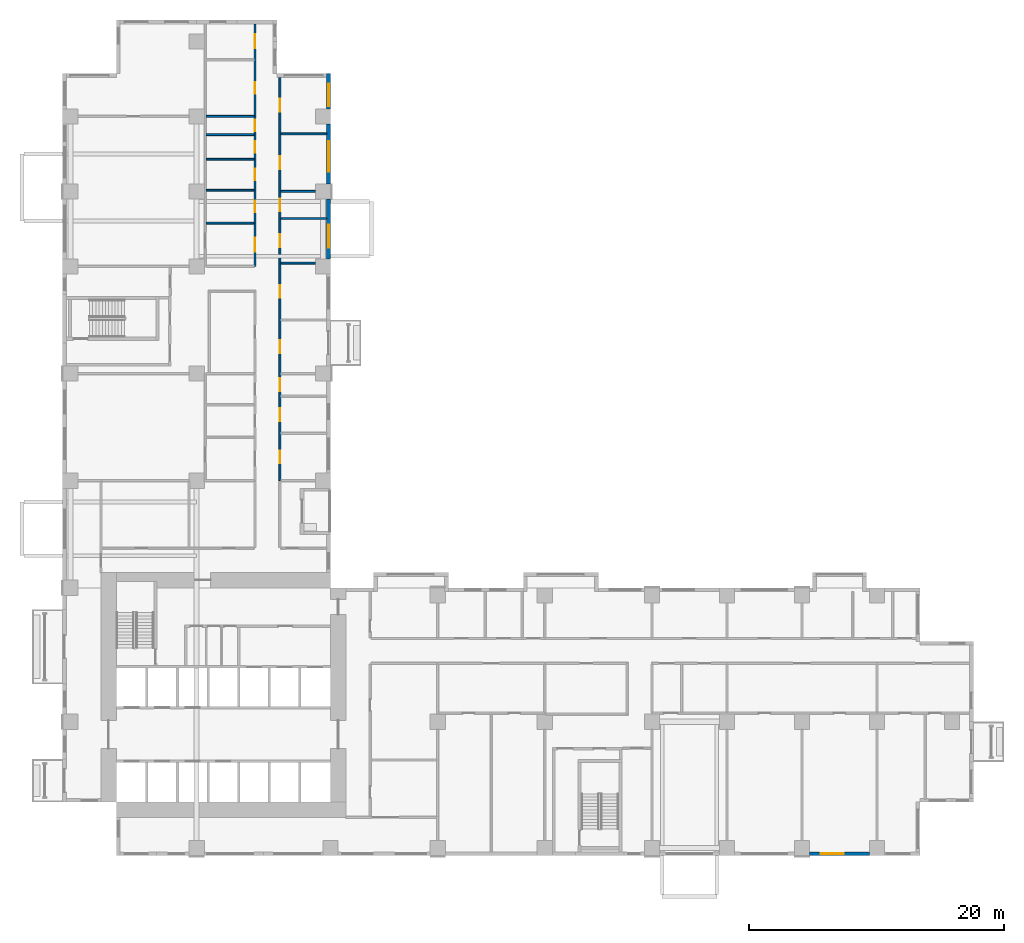
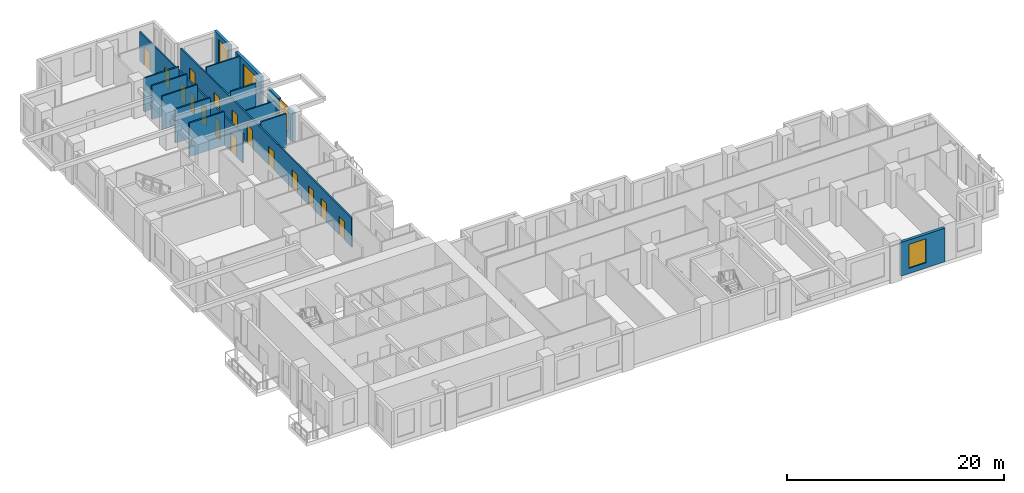
# One storey, part 7 of 14: 16 doors, 15 walls, 4 windows, 20 openings.
"""IFC4 building model written with IfcOpenShell, lengths in metres."""

from ifc_helpers import new_model, si_unit, direction, frame, frame_2d, origin, place, context, subcontext, project, spatial, rectangle, extrude, source, transform, mapped, material, layer, layer_set, type_object, element, fill, save


model = new_model("IFC4")

# Units and contexts
model_context = context("Model", 3, precision=1e-05, world=origin(), true_north=direction((0.0, 1.0)))
body_context = subcontext(model_context, "Body", "Model", "MODEL_VIEW")
ifc_project = project(units=[si_unit("LENGTHUNIT", "METRE"), si_unit("AREAUNIT", "SQUARE_METRE"), si_unit("VOLUMEUNIT", "CUBIC_METRE"), si_unit("PLANEANGLEUNIT", "RADIAN"), si_unit("MASSUNIT", "GRAM", prefix="KILO")], contexts=[model_context])

# Site, building, storey
site_placement = place(None, origin())
site = spatial("IfcSite", under=ifc_project, at=site_placement, CompositionType="ELEMENT")
building_placement = place(site_placement, origin())
building = spatial("IfcBuilding", under=site, at=building_placement, Name="Aurelian Terraces", CompositionType="ELEMENT")
storey_placement = place(building_placement, frame((0.0, 0.0, 40.5)))
storey = spatial("IfcBuildingStorey", under=building, at=storey_placement, Name="L07", CompositionType="ELEMENT", Elevation=40.5)

# Wall, openings, doors
ifc_material_1 = material(Name="Gypsum board on steel studs", Category="steel")
ifc_layer_1 = layer(ifc_material_1, 0.15)
ifc_layer_set_1 = layer_set([ifc_layer_1], Name="Fire partition 150")
wall_type_1 = type_object("IfcWallType", Name="Fire partition 150", PredefinedType="PARTITIONING", material=ifc_layer_set_1)
wall_1_placement = place(storey_placement, frame((17.025, 61.02, 0.0), z_axis=(0.0, 0.0, 1.0), x_axis=(0.0, -1.0, 0.0)))
wall_1 = element("IfcWall", 1, at=wall_1_placement, inside=storey, type_object=wall_type_1, Name="Corridor wall", PredefinedType="PARTITIONING", context=body_context, shape_type="SweptSolid", body=[
    extrude(rectangle(XDim=31.62, YDim=0.15, at=frame_2d((15.81, 0.0))), origin(), (0.0, 0.0, 1.0), 3.3),
])
shared_shape_1 = source(origin(), body_context, "Body", "SweptSolid", [
    extrude(rectangle(XDim=1.0, YDim=2.1, at=frame_2d((0.5, 1.05))), frame((0.0, 0.085, 0.0), z_axis=(0.0, -1.0, 0.0), x_axis=(1.0, 0.0, 0.0)), (0.0, 0.0, 1.0), 0.17),
])
opening_1_placement = place(wall_1_placement, frame((29.2633, 0.0, 0.0)))
opening_1 = element("IfcOpeningElement", 2, at=opening_1_placement, cuts=wall_1, Name="Opening 707046", PredefinedType="OPENING", context=body_context, shape_type="MappedRepresentation", body=[
    mapped(shared_shape_1, transform((0.0, 0.0, 0.0), scale=1.0)),
])
opening_2_placement = place(wall_1_placement, frame((25.9514, 0.0, 0.0)))
opening_2 = element("IfcOpeningElement", 3, at=opening_2_placement, cuts=wall_1, Name="Opening 707047", PredefinedType="OPENING", context=body_context, shape_type="MappedRepresentation", body=[
    mapped(shared_shape_1, transform((0.0, 0.0, 0.0), scale=1.0)),
])
opening_3_placement = place(wall_1_placement, frame((23.608, 0.0, 0.0)))
opening_3 = element("IfcOpeningElement", 4, at=opening_3_placement, cuts=wall_1, Name="Opening 707048", PredefinedType="OPENING", context=body_context, shape_type="MappedRepresentation", body=[
    mapped(shared_shape_1, transform((0.0, 0.0, 0.0), scale=1.0)),
])
opening_4_placement = place(wall_1_placement, frame((20.62, 0.0, 0.0)))
opening_4 = element("IfcOpeningElement", 5, at=opening_4_placement, cuts=wall_1, Name="Opening 707049", PredefinedType="OPENING", context=body_context, shape_type="MappedRepresentation", body=[
    mapped(shared_shape_1, transform((0.0, 0.0, 0.0), scale=1.0)),
])
opening_5_placement = place(wall_1_placement, frame((16.2929, 0.0, 0.0)))
opening_5 = element("IfcOpeningElement", 6, at=opening_5_placement, cuts=wall_1, Name="Opening 707050", PredefinedType="OPENING", context=body_context, shape_type="MappedRepresentation", body=[
    mapped(shared_shape_1, transform((0.0, 0.0, 0.0), scale=1.0)),
])
opening_6_placement = place(wall_1_placement, frame((12.3141, 0.0, 0.0)))
opening_6 = element("IfcOpeningElement", 7, at=opening_6_placement, cuts=wall_1, Name="Opening 707051", PredefinedType="OPENING", context=body_context, shape_type="MappedRepresentation", body=[
    mapped(shared_shape_1, transform((0.0, 0.0, 0.0), scale=1.0)),
])
opening_7_placement = place(wall_1_placement, frame((9.5012, 0.0, 0.0)))
opening_7 = element("IfcOpeningElement", 8, at=opening_7_placement, cuts=wall_1, Name="Opening 707052", PredefinedType="OPENING", context=body_context, shape_type="MappedRepresentation", body=[
    mapped(shared_shape_1, transform((0.0, 0.0, 0.0), scale=1.0)),
])
opening_8_placement = place(wall_1_placement, frame((6.1862, 0.0, 0.0)))
opening_8 = element("IfcOpeningElement", 9, at=opening_8_placement, cuts=wall_1, Name="Opening 707053", PredefinedType="OPENING", context=body_context, shape_type="MappedRepresentation", body=[
    mapped(shared_shape_1, transform((0.0, 0.0, 0.0), scale=1.0)),
])
opening_9_placement = place(wall_1_placement, frame((1.6788, 0.0, 0.0)))
opening_9 = element("IfcOpeningElement", 10, at=opening_9_placement, cuts=wall_1, Name="Opening 707054", PredefinedType="OPENING", context=body_context, shape_type="MappedRepresentation", body=[
    mapped(shared_shape_1, transform((0.0, 0.0, 0.0), scale=1.0)),
])
ifc_material_2 = material(Name="Timber door leaf", Category="wood")
door_type_1 = type_object("IfcDoorType", Name="Room door 1000x2100 left", OperationType="SINGLE_SWING_LEFT", PredefinedType="DOOR", material=ifc_material_2)
shared_shape_2 = source(origin(), body_context, "Body", "SweptSolid", [
    extrude(rectangle(XDim=1.0, YDim=2.1, at=frame_2d((0.5, 1.05))), frame((0.0, 0.025, 0.0), z_axis=(0.0, -1.0, 0.0), x_axis=(1.0, 0.0, 0.0)), (0.0, 0.0, 1.0), 0.05),
])
door_1_placement = place(opening_1_placement, origin())
door_1 = element("IfcDoor", 11, at=door_1_placement, inside=storey, type_object=door_type_1, Name="Door 707046", OperationType="SINGLE_SWING_LEFT", OverallHeight=2.1, OverallWidth=1.0, PredefinedType="DOOR", context=body_context, shape_type="MappedRepresentation", body=[
    mapped(shared_shape_2, transform((0.0, 0.0, 0.0), scale=1.0)),
])
fill(opening_1, door_1)
door_type_2 = type_object("IfcDoorType", Name="Room door 1000x2100 right", OperationType="SINGLE_SWING_RIGHT", PredefinedType="DOOR", material=ifc_material_2)
door_2_placement = place(opening_2_placement, origin())
door_2 = element("IfcDoor", 12, at=door_2_placement, inside=storey, type_object=door_type_2, Name="Door 707047", OperationType="SINGLE_SWING_RIGHT", OverallHeight=2.1, OverallWidth=1.0, PredefinedType="DOOR", context=body_context, shape_type="MappedRepresentation", body=[
    mapped(shared_shape_2, transform((0.0, 0.0, 0.0), scale=1.0)),
])
fill(opening_2, door_2)
door_3_placement = place(opening_3_placement, origin())
door_3 = element("IfcDoor", 13, at=door_3_placement, inside=storey, type_object=door_type_1, Name="Door 707048", OperationType="SINGLE_SWING_LEFT", OverallHeight=2.1, OverallWidth=1.0, PredefinedType="DOOR", context=body_context, shape_type="MappedRepresentation", body=[
    mapped(shared_shape_2, transform((0.0, 0.0, 0.0), scale=1.0)),
])
fill(opening_3, door_3)
door_4_placement = place(opening_4_placement, origin())
door_4 = element("IfcDoor", 14, at=door_4_placement, inside=storey, type_object=door_type_1, Name="Door 707049", OperationType="SINGLE_SWING_LEFT", OverallHeight=2.1, OverallWidth=1.0, PredefinedType="DOOR", context=body_context, shape_type="MappedRepresentation", body=[
    mapped(shared_shape_2, transform((0.0, 0.0, 0.0), scale=1.0)),
])
fill(opening_4, door_4)
door_5_placement = place(opening_5_placement, origin())
door_5 = element("IfcDoor", 15, at=door_5_placement, inside=storey, type_object=door_type_1, Name="Door 707050", OperationType="SINGLE_SWING_LEFT", OverallHeight=2.1, OverallWidth=1.0, PredefinedType="DOOR", context=body_context, shape_type="MappedRepresentation", body=[
    mapped(shared_shape_2, transform((0.0, 0.0, 0.0), scale=1.0)),
])
fill(opening_5, door_5)
door_6_placement = place(opening_6_placement, origin())
door_6 = element("IfcDoor", 16, at=door_6_placement, inside=storey, type_object=door_type_2, Name="Door 707051", OperationType="SINGLE_SWING_RIGHT", OverallHeight=2.1, OverallWidth=1.0, PredefinedType="DOOR", context=body_context, shape_type="MappedRepresentation", body=[
    mapped(shared_shape_2, transform((0.0, 0.0, 0.0), scale=1.0)),
])
fill(opening_6, door_6)
door_7_placement = place(opening_7_placement, origin())
door_7 = element("IfcDoor", 17, at=door_7_placement, inside=storey, type_object=door_type_1, Name="Door 707052", OperationType="SINGLE_SWING_LEFT", OverallHeight=2.1, OverallWidth=1.0, PredefinedType="DOOR", context=body_context, shape_type="MappedRepresentation", body=[
    mapped(shared_shape_2, transform((0.0, 0.0, 0.0), scale=1.0)),
])
fill(opening_7, door_7)
door_8_placement = place(opening_8_placement, origin())
door_8 = element("IfcDoor", 18, at=door_8_placement, inside=storey, type_object=door_type_1, Name="Door 707053", OperationType="SINGLE_SWING_LEFT", OverallHeight=2.1, OverallWidth=1.0, PredefinedType="DOOR", context=body_context, shape_type="MappedRepresentation", body=[
    mapped(shared_shape_2, transform((0.0, 0.0, 0.0), scale=1.0)),
])
fill(opening_8, door_8)
door_9_placement = place(opening_9_placement, origin())
door_9 = element("IfcDoor", 19, at=door_9_placement, inside=storey, type_object=door_type_2, Name="Door 707054", OperationType="SINGLE_SWING_RIGHT", OverallHeight=2.1, OverallWidth=1.0, PredefinedType="DOOR", context=body_context, shape_type="MappedRepresentation", body=[
    mapped(shared_shape_2, transform((0.0, 0.0, 0.0), scale=1.0)),
])
fill(opening_9, door_9)

# Wall
ifc_layer_2 = layer(ifc_material_1, 0.15)
ifc_layer_set_2 = layer_set([ifc_layer_2], Name="Partition 150")
wall_type_2 = type_object("IfcWallType", Name="Partition 150", PredefinedType="PARTITIONING", material=ifc_layer_set_2)
wall_2_placement = place(storey_placement, frame((17.1, 49.9576, 0.0), z_axis=(0.0, 0.0, 1.0), x_axis=(1.0, 0.0, 0.0)))
element("IfcWall", 20, at=wall_2_placement, inside=storey, type_object=wall_type_2, Name="Partition", PredefinedType="PARTITIONING", context=body_context, shape_type="SweptSolid", body=[
    extrude(rectangle(XDim=3.6, YDim=0.15, at=frame_2d((1.8, 0.0))), origin(), (0.0, 0.0, 1.0), 2.8),
])

# Wall, opening, window
ifc_material_3 = material(Name="Terracotta rainscreen cladding", Category="masonry")
ifc_layer_3 = layer(ifc_material_3, 0.3)
ifc_layer_set_3 = layer_set([ifc_layer_3], Name="EW-300")
wall_type_3 = type_object("IfcWallType", Name="EW-300", PredefinedType="STANDARD", material=ifc_layer_set_3)
shared_shape_3 = source(origin(), body_context, "Body", "SweptSolid", [
    extrude(rectangle(XDim=4.68, YDim=0.3, at=frame_2d((2.34, 0.0))), origin(), (0.0, 0.0, 1.0), 3.8),
])
wall_3_placement = place(storey_placement, frame((58.56, 0.15, 0.0), z_axis=(0.0, 0.0, 1.0), x_axis=(1.0, 0.0, 0.0)))
wall_3 = element("IfcWall", 21, at=wall_3_placement, inside=storey, type_object=wall_type_3, Name="External wall L07 F01.10", PredefinedType="STANDARD", context=body_context, shape_type="MappedRepresentation", body=[
    mapped(shared_shape_3, transform((0.0, 0.0, 0.0), scale=1.0)),
])
shared_shape_4 = source(origin(), body_context, "Body", "SweptSolid", [
    extrude(rectangle(XDim=1.8, YDim=2.7, at=frame_2d((0.9, 1.35))), frame((0.0, 0.16, 0.0), z_axis=(0.0, -1.0, 0.0), x_axis=(1.0, 0.0, 0.0)), (0.0, 0.0, 1.0), 0.32),
])
opening_10_placement = place(wall_3_placement, frame((0.8775, 0.0, 0.6)))
opening_10 = element("IfcOpeningElement", 22, at=opening_10_placement, cuts=wall_3, Name="Opening W1827", PredefinedType="OPENING", context=body_context, shape_type="MappedRepresentation", body=[
    mapped(shared_shape_4, transform((0.0, 0.0, 0.0), scale=1.0)),
])
ifc_material_4 = material(Name="Clear glazing", Category="glass")
window_type_1 = type_object("IfcWindowType", Name="W-1800x2700", PartitioningType="SINGLE_PANEL", PredefinedType="WINDOW", material=ifc_material_4)
shared_shape_5 = source(origin(), body_context, "Body", "SweptSolid", [
    extrude(rectangle(XDim=1.8, YDim=2.7, at=frame_2d((0.9, 1.35))), frame((0.0, 0.03, 0.0), z_axis=(0.0, -1.0, 0.0), x_axis=(1.0, 0.0, 0.0)), (0.0, 0.0, 1.0), 0.06),
])
window_1_placement = place(opening_10_placement, origin())
window_1 = element("IfcWindow", 23, at=window_1_placement, inside=storey, type_object=window_type_1, Name="Window L07 L07-F01-10-0", OverallHeight=2.7, OverallWidth=1.8, PartitioningType="SINGLE_PANEL", PredefinedType="WINDOW", context=body_context, shape_type="MappedRepresentation", body=[
    mapped(shared_shape_5, transform((0.0, 0.0, 0.0), scale=1.0)),
])
fill(opening_10, window_1)

wall_4_placement = place(storey_placement, frame((20.85, 52.68, 0.0), z_axis=(0.0, 0.0, 1.0), x_axis=(0.0, 1.0, 0.0)))
wall_4 = element("IfcWall", 24, at=wall_4_placement, inside=storey, type_object=wall_type_3, Name="External wall L07 F08.34", PredefinedType="STANDARD", context=body_context, shape_type="MappedRepresentation", body=[
    mapped(shared_shape_3, transform((0.0, 0.0, 0.0), scale=1.0)),
])
shared_shape_6 = source(origin(), body_context, "Body", "SweptSolid", [
    extrude(rectangle(XDim=2.4, YDim=2.7, at=frame_2d((1.2, 1.35))), frame((0.0, 0.16, 0.0), z_axis=(0.0, -1.0, 0.0), x_axis=(1.0, 0.0, 0.0)), (0.0, 0.0, 1.0), 0.32),
])
opening_11_placement = place(wall_4_placement, frame((0.936, 0.0, 0.6)))
opening_11 = element("IfcOpeningElement", 25, at=opening_11_placement, cuts=wall_4, Name="Opening W2427", PredefinedType="OPENING", context=body_context, shape_type="MappedRepresentation", body=[
    mapped(shared_shape_6, transform((0.0, 0.0, 0.0), scale=1.0)),
])
window_type_2 = type_object("IfcWindowType", Name="W-2400x2700", PartitioningType="SINGLE_PANEL", PredefinedType="WINDOW", material=ifc_material_4)
shared_shape_7 = source(origin(), body_context, "Body", "SweptSolid", [
    extrude(rectangle(XDim=2.4, YDim=2.7, at=frame_2d((1.2, 1.35))), frame((0.0, 0.03, 0.0), z_axis=(0.0, -1.0, 0.0), x_axis=(1.0, 0.0, 0.0)), (0.0, 0.0, 1.0), 0.06),
])
window_2_placement = place(opening_11_placement, origin())
window_2 = element("IfcWindow", 26, at=window_2_placement, inside=storey, type_object=window_type_2, Name="Window L07 L07-F08-34-0", OverallHeight=2.7, OverallWidth=2.4, PartitioningType="SINGLE_PANEL", PredefinedType="WINDOW", context=body_context, shape_type="MappedRepresentation", body=[
    mapped(shared_shape_7, transform((0.0, 0.0, 0.0), scale=1.0)),
])
fill(opening_11, window_2)

shared_shape_8 = source(origin(), body_context, "Body", "SweptSolid", [
    extrude(rectangle(XDim=2.76, YDim=0.3, at=frame_2d((1.38, 0.0))), origin(), (0.0, 0.0, 1.0), 3.8),
])
wall_5_placement = place(storey_placement, frame((20.85, 58.56, 0.0), z_axis=(0.0, 0.0, 1.0), x_axis=(0.0, 1.0, 0.0)))
wall_5 = element("IfcWall", 27, at=wall_5_placement, inside=storey, type_object=wall_type_3, Name="External wall L07 F08.35", PredefinedType="STANDARD", context=body_context, shape_type="MappedRepresentation", body=[
    mapped(shared_shape_8, transform((0.0, 0.0, 0.0), scale=1.0)),
])
opening_12_placement = place(wall_5_placement, frame((0.18, 0.0, 0.6)))
opening_12 = element("IfcOpeningElement", 28, at=opening_12_placement, cuts=wall_5, Name="Opening W1827", PredefinedType="OPENING", context=body_context, shape_type="MappedRepresentation", body=[
    mapped(shared_shape_4, transform((0.0, 0.0, 0.0), scale=1.0)),
])
window_3_placement = place(opening_12_placement, origin())
window_3 = element("IfcWindow", 29, at=window_3_placement, inside=storey, type_object=window_type_1, Name="Window L07 L07-F08-35-0", OverallHeight=2.7, OverallWidth=1.8, PartitioningType="SINGLE_PANEL", PredefinedType="WINDOW", context=body_context, shape_type="MappedRepresentation", body=[
    mapped(shared_shape_5, transform((0.0, 0.0, 0.0), scale=1.0)),
])
fill(opening_12, window_3)

shared_shape_9 = source(origin(), body_context, "Body", "SweptSolid", [
    extrude(rectangle(XDim=4.68, YDim=0.3, at=frame_2d((2.34, 0.0))), origin(), (0.0, 0.0, 1.0), 3.3),
])
wall_6_placement = place(storey_placement, frame((20.85, 46.8, 0.0), z_axis=(0.0, 0.0, 1.0), x_axis=(0.0, 1.0, 0.0)))
wall_6 = element("IfcWall", 30, at=wall_6_placement, inside=storey, type_object=wall_type_3, Name="External wall L07 F08.33", PredefinedType="STANDARD", context=body_context, shape_type="MappedRepresentation", body=[
    mapped(shared_shape_9, transform((0.0, 0.0, 0.0), scale=1.0)),
])
opening_13_placement = place(wall_6_placement, frame((0.8615, 0.0, 0.6)))
opening_13 = element("IfcOpeningElement", 31, at=opening_13_placement, cuts=wall_6, Name="Opening W1827", PredefinedType="OPENING", context=body_context, shape_type="MappedRepresentation", body=[
    mapped(shared_shape_4, transform((0.0, 0.0, 0.0), scale=1.0)),
])
window_4_placement = place(opening_13_placement, origin())
window_4 = element("IfcWindow", 32, at=window_4_placement, inside=storey, type_object=window_type_1, Name="Window L07 L07-F08-33-0", OverallHeight=2.7, OverallWidth=1.8, PartitioningType="SINGLE_PANEL", PredefinedType="WINDOW", context=body_context, shape_type="MappedRepresentation", body=[
    mapped(shared_shape_5, transform((0.0, 0.0, 0.0), scale=1.0)),
])
fill(opening_13, window_4)

# Walls
shared_shape_10 = source(origin(), body_context, "Body", "SweptSolid", [
    extrude(rectangle(XDim=3.75, YDim=0.15, at=frame_2d((1.875, 0.0))), origin(), (0.0, 0.0, 1.0), 3.8),
])
for number, where, z_axis, x_axis, name in (
    (33, (15.0, 49.5956, 0.0), (0.0, 0.0, 1.0), (-1.0, 0.0, 0.0), "Partition"),
    (34, (15.0, 52.1727, 0.0), (0.0, 0.0, 1.0), (-1.0, 0.0, 0.0), "Partition"),
    (35, (15.0, 54.6033, 0.0), (0.0, 0.0, 1.0), (-1.0, 0.0, 0.0), "Partition"),
    (36, (15.0, 56.5361, 0.0), (0.0, 0.0, 1.0), (-1.0, 0.0, 0.0), "Partition"),
    (37, (15.0, 57.96, 0.0), (0.0, 0.0, 1.0), (-1.0, 0.0, 0.0), "Partition"),
):
    element("IfcWall", number, at=place(storey_placement, frame(where, z_axis=z_axis, x_axis=x_axis)), inside=storey, type_object=wall_type_2, Name=name, PredefinedType="PARTITIONING", context=body_context, shape_type="MappedRepresentation", body=[
        mapped(shared_shape_10, transform((0.0, 0.0, 0.0), scale=1.0)),
    ])
shared_shape_11 = source(origin(), body_context, "Body", "SweptSolid", [
    extrude(rectangle(XDim=3.6, YDim=0.15, at=frame_2d((1.8, 0.0))), origin(), (0.0, 0.0, 1.0), 3.8),
])
wall_7_placement = place(storey_placement, frame((17.1, 56.5875, 0.0), z_axis=(0.0, 0.0, 1.0), x_axis=(1.0, 0.0, 0.0)))
element("IfcWall", 38, at=wall_7_placement, inside=storey, type_object=wall_type_2, Name="Partition", PredefinedType="PARTITIONING", context=body_context, shape_type="MappedRepresentation", body=[
    mapped(shared_shape_11, transform((0.0, 0.0, 0.0), scale=1.0)),
])
shared_shape_12 = source(origin(), body_context, "Body", "SweptSolid", [
    extrude(rectangle(XDim=2.701, YDim=0.15, at=frame_2d((1.3505, 0.0))), origin(), (0.0, 0.0, 1.0), 3.8),
])
for number, where, z_axis, x_axis, name in (
    (39, (17.1, 46.4542, 0.0), (0.0, 0.0, 1.0), (1.0, 0.0, 0.0), "Partition"),
    (40, (19.801, 52.08, 0.0), (0.0, 0.0, 1.0), (-1.0, 0.0, 0.0), "Partition"),
):
    element("IfcWall", number, at=place(storey_placement, frame(where, z_axis=z_axis, x_axis=x_axis)), inside=storey, type_object=wall_type_2, Name=name, PredefinedType="PARTITIONING", context=body_context, shape_type="MappedRepresentation", body=[
        mapped(shared_shape_12, transform((0.0, 0.0, 0.0), scale=1.0)),
    ])

# Wall, openings, doors
shared_shape_13 = source(origin(), body_context, "Body", "SweptSolid", [
    extrude(rectangle(XDim=19.02, YDim=0.15, at=frame_2d((9.51, 0.0))), origin(), (0.0, 0.0, 1.0), 3.3),
])
wall_8_placement = place(storey_placement, frame((15.075, 46.2, 0.0), z_axis=(0.0, 0.0, 1.0), x_axis=(0.0, 1.0, 0.0)))
wall_8 = element("IfcWall", 41, at=wall_8_placement, inside=storey, type_object=wall_type_1, Name="Corridor wall", PredefinedType="PARTITIONING", context=body_context, shape_type="MappedRepresentation", body=[
    mapped(shared_shape_13, transform((0.0, 0.0, 0.0), scale=1.0)),
])
shared_shape_14 = source(origin(), body_context, "Body", "SweptSolid", [
    extrude(rectangle(XDim=1.1, YDim=2.1, at=frame_2d((0.55, 1.05))), frame((0.0, 0.085, 0.0), z_axis=(0.0, -1.0, 0.0), x_axis=(1.0, 0.0, 0.0)), (0.0, 0.0, 1.0), 0.17),
])
opening_14_placement = place(wall_8_placement, frame((1.1478, 0.0, 0.0)))
opening_14 = element("IfcOpeningElement", 42, at=opening_14_placement, cuts=wall_8, Name="Opening 707038", PredefinedType="OPENING", context=body_context, shape_type="MappedRepresentation", body=[
    mapped(shared_shape_14, transform((0.0, 0.0, 0.0), scale=1.0)),
])
shared_shape_15 = source(origin(), body_context, "Body", "SweptSolid", [
    extrude(rectangle(XDim=0.9, YDim=2.1, at=frame_2d((0.45, 1.05))), frame((0.0, 0.085, 0.0), z_axis=(0.0, -1.0, 0.0), x_axis=(1.0, 0.0, 0.0)), (0.0, 0.0, 1.0), 0.17),
])
opening_15_placement = place(wall_8_placement, frame((4.2341, 0.0, 0.0)))
opening_15 = element("IfcOpeningElement", 43, at=opening_15_placement, cuts=wall_8, Name="Opening 707040", PredefinedType="OPENING", context=body_context, shape_type="MappedRepresentation", body=[
    mapped(shared_shape_15, transform((0.0, 0.0, 0.0), scale=1.0)),
])
opening_16_placement = place(wall_8_placement, frame((6.738, 0.0, 0.0)))
opening_16 = element("IfcOpeningElement", 44, at=opening_16_placement, cuts=wall_8, Name="Opening 707041", PredefinedType="OPENING", context=body_context, shape_type="MappedRepresentation", body=[
    mapped(shared_shape_15, transform((0.0, 0.0, 0.0), scale=1.0)),
])
opening_17_placement = place(wall_8_placement, frame((8.9197, 0.0, 0.0)))
opening_17 = element("IfcOpeningElement", 45, at=opening_17_placement, cuts=wall_8, Name="Opening 707042", PredefinedType="OPENING", context=body_context, shape_type="MappedRepresentation", body=[
    mapped(shared_shape_15, transform((0.0, 0.0, 0.0), scale=1.0)),
])
opening_18_placement = place(wall_8_placement, frame((10.5981, 0.0, 0.0)))
opening_18 = element("IfcOpeningElement", 46, at=opening_18_placement, cuts=wall_8, Name="Opening 707043", PredefinedType="OPENING", context=body_context, shape_type="MappedRepresentation", body=[
    mapped(shared_shape_15, transform((0.0, 0.0, 0.0), scale=1.0)),
])
opening_19_placement = place(wall_8_placement, frame((17.0968, 0.0, 0.0)))
opening_19 = element("IfcOpeningElement", 47, at=opening_19_placement, cuts=wall_8, Name="Opening 707044", PredefinedType="OPENING", context=body_context, shape_type="MappedRepresentation", body=[
    mapped(shared_shape_14, transform((0.0, 0.0, 0.0), scale=1.0)),
])
opening_20_placement = place(wall_8_placement, frame((13.5293, 0.0, 0.0)))
opening_20 = element("IfcOpeningElement", 48, at=opening_20_placement, cuts=wall_8, Name="Opening 707045", PredefinedType="OPENING", context=body_context, shape_type="MappedRepresentation", body=[
    mapped(shared_shape_15, transform((0.0, 0.0, 0.0), scale=1.0)),
])
door_type_3 = type_object("IfcDoorType", Name="Room door 900x2100 left", OperationType="SINGLE_SWING_LEFT", PredefinedType="DOOR", material=ifc_material_2)
shared_shape_16 = source(origin(), body_context, "Body", "SweptSolid", [
    extrude(rectangle(XDim=0.9, YDim=2.1, at=frame_2d((0.45, 1.05))), frame((0.0, 0.025, 0.0), z_axis=(0.0, -1.0, 0.0), x_axis=(1.0, 0.0, 0.0)), (0.0, 0.0, 1.0), 0.05),
])
door_10_placement = place(opening_15_placement, origin())
door_10 = element("IfcDoor", 49, at=door_10_placement, inside=storey, type_object=door_type_3, Name="Door 707040", OperationType="SINGLE_SWING_LEFT", OverallHeight=2.1, OverallWidth=0.9, PredefinedType="DOOR", context=body_context, shape_type="MappedRepresentation", body=[
    mapped(shared_shape_16, transform((0.0, 0.0, 0.0), scale=1.0)),
])
fill(opening_15, door_10)
door_type_4 = type_object("IfcDoorType", Name="Room door 900x2100 right", OperationType="SINGLE_SWING_RIGHT", PredefinedType="DOOR", material=ifc_material_2)
door_11_placement = place(opening_16_placement, origin())
door_11 = element("IfcDoor", 50, at=door_11_placement, inside=storey, type_object=door_type_4, Name="Door 707041", OperationType="SINGLE_SWING_RIGHT", OverallHeight=2.1, OverallWidth=0.9, PredefinedType="DOOR", context=body_context, shape_type="MappedRepresentation", body=[
    mapped(shared_shape_16, transform((0.0, 0.0, 0.0), scale=1.0)),
])
fill(opening_16, door_11)
door_12_placement = place(opening_17_placement, origin())
door_12 = element("IfcDoor", 51, at=door_12_placement, inside=storey, type_object=door_type_3, Name="Door 707042", OperationType="SINGLE_SWING_LEFT", OverallHeight=2.1, OverallWidth=0.9, PredefinedType="DOOR", context=body_context, shape_type="MappedRepresentation", body=[
    mapped(shared_shape_16, transform((0.0, 0.0, 0.0), scale=1.0)),
])
fill(opening_17, door_12)
door_13_placement = place(opening_18_placement, origin())
door_13 = element("IfcDoor", 52, at=door_13_placement, inside=storey, type_object=door_type_4, Name="Door 707043", OperationType="SINGLE_SWING_RIGHT", OverallHeight=2.1, OverallWidth=0.9, PredefinedType="DOOR", context=body_context, shape_type="MappedRepresentation", body=[
    mapped(shared_shape_16, transform((0.0, 0.0, 0.0), scale=1.0)),
])
fill(opening_18, door_13)
door_14_placement = place(opening_20_placement, origin())
door_14 = element("IfcDoor", 53, at=door_14_placement, inside=storey, type_object=door_type_3, Name="Door 707045", OperationType="SINGLE_SWING_LEFT", OverallHeight=2.1, OverallWidth=0.9, PredefinedType="DOOR", context=body_context, shape_type="MappedRepresentation", body=[
    mapped(shared_shape_16, transform((0.0, 0.0, 0.0), scale=1.0)),
])
fill(opening_20, door_14)
door_type_5 = type_object("IfcDoorType", Name="Room door 1100x2100 left", OperationType="SINGLE_SWING_LEFT", PredefinedType="DOOR", material=ifc_material_2)
shared_shape_17 = source(origin(), body_context, "Body", "SweptSolid", [
    extrude(rectangle(XDim=1.1, YDim=2.1, at=frame_2d((0.55, 1.05))), frame((0.0, 0.025, 0.0), z_axis=(0.0, -1.0, 0.0), x_axis=(1.0, 0.0, 0.0)), (0.0, 0.0, 1.0), 0.05),
])
door_15_placement = place(opening_14_placement, origin())
door_15 = element("IfcDoor", 54, at=door_15_placement, inside=storey, type_object=door_type_5, Name="Door 707038", OperationType="SINGLE_SWING_LEFT", OverallHeight=2.1, OverallWidth=1.1, PredefinedType="DOOR", context=body_context, shape_type="MappedRepresentation", body=[
    mapped(shared_shape_17, transform((0.0, 0.0, 0.0), scale=1.0)),
])
fill(opening_14, door_15)
door_16_placement = place(opening_19_placement, origin())
door_16 = element("IfcDoor", 55, at=door_16_placement, inside=storey, type_object=door_type_5, Name="Door 707044", OperationType="SINGLE_SWING_LEFT", OverallHeight=2.1, OverallWidth=1.1, PredefinedType="DOOR", context=body_context, shape_type="MappedRepresentation", body=[
    mapped(shared_shape_17, transform((0.0, 0.0, 0.0), scale=1.0)),
])
fill(opening_19, door_16)

save(model, "model.ifc")
